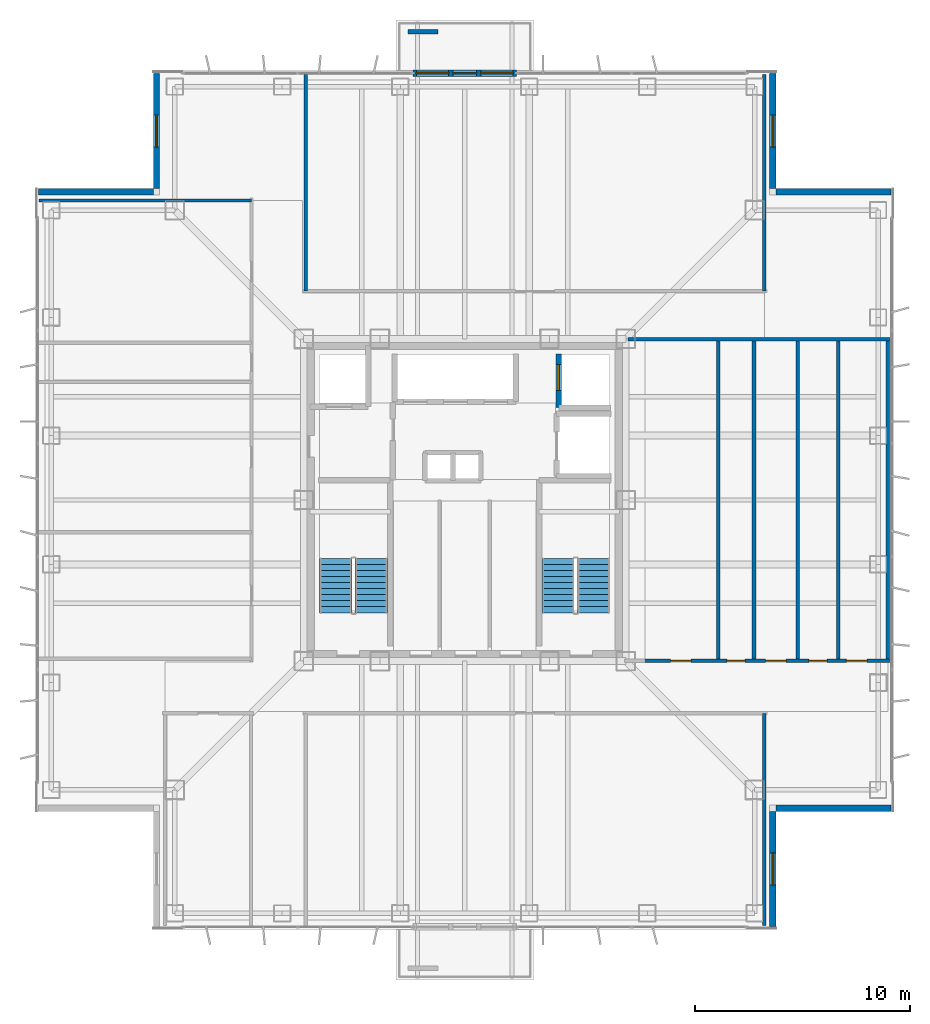
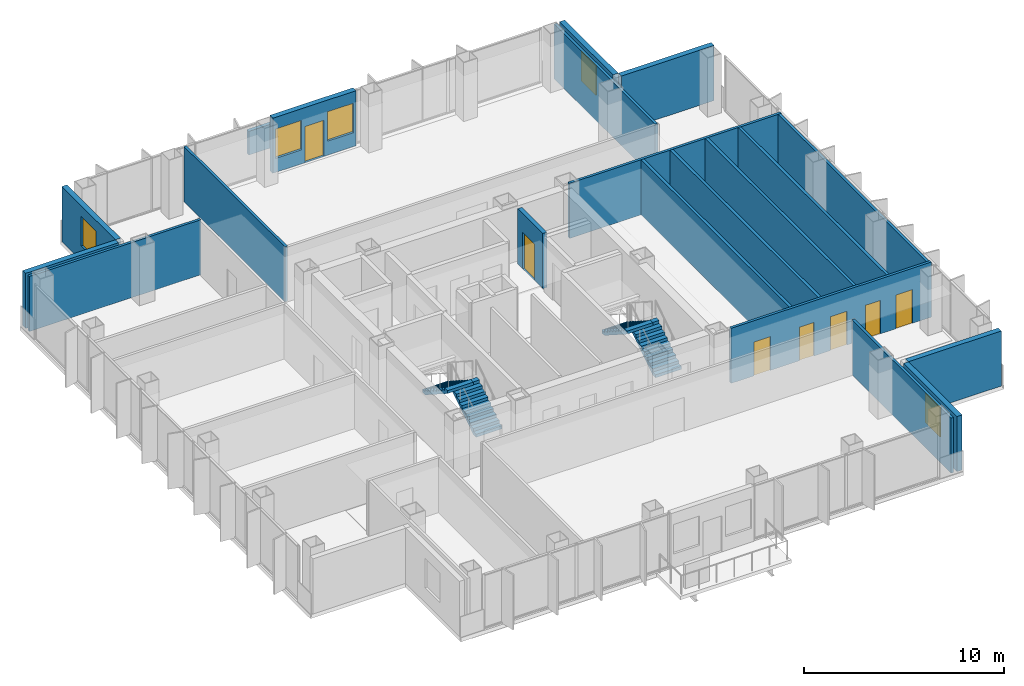
# One storey, part 10 of 13: 20 walls, 7 doors, 5 windows, 4 stair flights, 12 openings, 2 elements without a shape of their own.
"""IFC4 building model written with IfcOpenShell, lengths in metres."""

from ifc_helpers import new_model, si_unit, direction, frame, frame_2d, origin, place, context, subcontext, project, spatial, polyline, rectangle, outline, extrude, material, layer, layer_set, type_object, element, fill, aggregate, save


model = new_model("IFC4")

# Units and contexts
model_context = context("Model", 3, precision=1e-05, world=origin(), true_north=direction((0.0, 1.0)))
body_context = subcontext(model_context, "Body", "Model", "MODEL_VIEW")
ifc_project = project(units=[si_unit("LENGTHUNIT", "METRE"), si_unit("AREAUNIT", "SQUARE_METRE"), si_unit("VOLUMEUNIT", "CUBIC_METRE"), si_unit("PLANEANGLEUNIT", "RADIAN"), si_unit("MASSUNIT", "GRAM", prefix="KILO")], contexts=[model_context])

# Site, building, storey
site_placement = place(None, origin())
site = spatial("IfcSite", under=ifc_project, at=site_placement, CompositionType="ELEMENT")
building_placement = place(site_placement, origin())
building = spatial("IfcBuilding", under=site, at=building_placement, Name="Trevonay Congress Spire", CompositionType="ELEMENT")
storey_placement = place(building_placement, frame((0.0, 0.0, 205.800048828125)))
storey = spatial("IfcBuildingStorey", under=building, at=storey_placement, Name="L53", CompositionType="ELEMENT", Elevation=205.800048828125)

# Wall, openings, doors
ifc_material_1 = material(Name="Concrete C40/50", Category="concrete")
ifc_layer_1 = layer(ifc_material_1, 0.14990234375, Name="Concrete C40/50")
ifc_layer_set_1 = layer_set([ifc_layer_1], Name="Concrete C40/50")
wall_type_1 = type_object("IfcWallType", Name="WAL-CORR-150", PredefinedType="PARTITIONING", material=ifc_layer_set_1)
wall_1_placement = place(storey_placement, frame((8.280029296875, -7.47998046875, 0.0), z_axis=(0.0, 0.0, 1.0), x_axis=(1.0, 0.0, 0.0)))
wall_1 = element("IfcWall", 1, at=wall_1_placement, inside=storey, type_object=wall_type_1, Name="L53 interior wall WP-L53E-COR", PredefinedType="PARTITIONING", context=body_context, shape_type="SweptSolid", body=[
    extrude(rectangle(XDim=11.5400390625, YDim=0.14990234375, at=frame_2d((5.77001953125, 0.0))), origin(), (0.0, 0.0, 1.0), 3.35986328125),
])
opening_1_placement = place(wall_1_placement, frame((1.304931640625, 0.0, 0.0)))
opening_1 = element("IfcOpeningElement", 2, at=opening_1_placement, cuts=wall_1, Name="Opening D07", PredefinedType="OPENING", context=body_context, shape_type="SweptSolid", body=[
    extrude(rectangle(XDim=0.949951171875, YDim=2.06005859375, at=frame_2d((0.47509765625, 1.030029296875))), frame((0.0, 0.0849609375, 0.0), z_axis=(0.0, -1.0, 0.0), x_axis=(1.0, 0.0, 0.0)), (0.0, 0.0, 1.0), 0.169921875),
])
opening_2_placement = place(wall_1_placement, frame((3.929931640625, 0.0, 0.0)))
opening_2 = element("IfcOpeningElement", 3, at=opening_2_placement, cuts=wall_1, Name="Opening D10", PredefinedType="OPENING", context=body_context, shape_type="SweptSolid", body=[
    extrude(rectangle(XDim=0.85009765625, YDim=2.050048828125, at=frame_2d((0.425048828125, 1.02490234375))), frame((0.0, 0.0849609375, 0.0), z_axis=(0.0, -1.0, 0.0), x_axis=(1.0, 0.0, 0.0)), (0.0, 0.0, 1.0), 0.169921875),
])
opening_3_placement = place(wall_1_placement, frame((5.72998046875, 0.0, 0.0)))
opening_3 = element("IfcOpeningElement", 4, at=opening_3_placement, cuts=wall_1, Name="Opening D07", PredefinedType="OPENING", context=body_context, shape_type="SweptSolid", body=[
    extrude(rectangle(XDim=0.949951171875, YDim=2.06005859375, at=frame_2d((0.47509765625, 1.030029296875))), frame((0.0, 0.0849609375, 0.0), z_axis=(0.0, -1.0, 0.0), x_axis=(1.0, 0.0, 0.0)), (0.0, 0.0, 1.0), 0.169921875),
])
opening_4_placement = place(wall_1_placement, frame((7.7451171875, 0.0, 0.0)))
opening_4 = element("IfcOpeningElement", 5, at=opening_4_placement, cuts=wall_1, Name="Opening D10", PredefinedType="OPENING", context=body_context, shape_type="SweptSolid", body=[
    extrude(rectangle(XDim=0.85009765625, YDim=2.050048828125, at=frame_2d((0.425048828125, 1.02490234375))), frame((0.0, 0.0849609375, 0.0), z_axis=(0.0, -1.0, 0.0), x_axis=(1.0, 0.0, 0.0)), (0.0, 0.0, 1.0), 0.169921875),
])
opening_5_placement = place(wall_1_placement, frame((9.4951171875, 0.0, 0.0)))
opening_5 = element("IfcOpeningElement", 6, at=opening_5_placement, cuts=wall_1, Name="Opening D07", PredefinedType="OPENING", context=body_context, shape_type="SweptSolid", body=[
    extrude(rectangle(XDim=0.949951171875, YDim=2.06005859375, at=frame_2d((0.47509765625, 1.030029296875))), frame((0.0, 0.0849609375, 0.0), z_axis=(0.0, -1.0, 0.0), x_axis=(1.0, 0.0, 0.0)), (0.0, 0.0, 1.0), 0.169921875),
])
ifc_material_2 = material(Name="Pale Anodised Aluminium EN AW-6063-T6", Category="aluminium")
door_type_1 = type_object("IfcDoorType", Name="DOR-OFFICE-95", OperationType="NOTDEFINED", PredefinedType="DOOR", material=ifc_material_2)
door_1_placement = place(opening_1_placement, origin())
door_1 = element("IfcDoor", 7, at=door_1_placement, inside=storey, type_object=door_type_1, Name="L53 Juice Bar Kitchenette Door", OperationType="SINGLE_SWING_LEFT", OverallHeight=2.06005859375, OverallWidth=0.949951171875, PredefinedType="DOOR", context=body_context, shape_type="SweptSolid", body=[
    extrude(rectangle(XDim=0.949951171875, YDim=2.06005859375, at=frame_2d((0.47509765625, 1.030029296875))), frame((0.0, 0.02490234375, 0.0), z_axis=(0.0, -1.0, 0.0), x_axis=(1.0, 0.0, 0.0)), (0.0, 0.0, 1.0), 0.050048828125),
])
fill(opening_1, door_1)
door_2_placement = place(opening_3_placement, origin())
door_2 = element("IfcDoor", 8, at=door_2_placement, inside=storey, type_object=door_type_1, Name="L53 Floor Supplies and Copy Room Door", OperationType="SINGLE_SWING_LEFT", OverallHeight=2.06005859375, OverallWidth=0.949951171875, PredefinedType="DOOR", context=body_context, shape_type="SweptSolid", body=[
    extrude(rectangle(XDim=0.949951171875, YDim=2.06005859375, at=frame_2d((0.47509765625, 1.030029296875))), frame((0.0, 0.02490234375, 0.0), z_axis=(0.0, -1.0, 0.0), x_axis=(1.0, 0.0, 0.0)), (0.0, 0.0, 1.0), 0.050048828125),
])
fill(opening_3, door_2)
door_3_placement = place(opening_5_placement, origin())
door_3 = element("IfcDoor", 9, at=door_3_placement, inside=storey, type_object=door_type_1, Name="L53 Floor Supplies and Copy Room Door", OperationType="SINGLE_SWING_LEFT", OverallHeight=2.06005859375, OverallWidth=0.949951171875, PredefinedType="DOOR", context=body_context, shape_type="SweptSolid", body=[
    extrude(rectangle(XDim=0.949951171875, YDim=2.06005859375, at=frame_2d((0.47509765625, 1.030029296875))), frame((0.0, 0.02490234375, 0.0), z_axis=(0.0, -1.0, 0.0), x_axis=(1.0, 0.0, 0.0)), (0.0, 0.0, 1.0), 0.050048828125),
])
fill(opening_5, door_3)
door_type_2 = type_object("IfcDoorType", Name="DOR-WC-85", OperationType="NOTDEFINED", PredefinedType="DOOR", material=ifc_material_2)
door_4_placement = place(opening_2_placement, origin())
door_4 = element("IfcDoor", 10, at=door_4_placement, inside=storey, type_object=door_type_2, Name="L53 Female Restroom WC Door", OperationType="SINGLE_SWING_RIGHT", OverallHeight=2.050048828125, OverallWidth=0.85009765625, PredefinedType="DOOR", context=body_context, shape_type="SweptSolid", body=[
    extrude(rectangle(XDim=0.85009765625, YDim=2.050048828125, at=frame_2d((0.425048828125, 1.02490234375))), frame((0.0, 0.02490234375, 0.0), z_axis=(0.0, -1.0, 0.0), x_axis=(1.0, 0.0, 0.0)), (0.0, 0.0, 1.0), 0.050048828125),
])
fill(opening_2, door_4)
door_5_placement = place(opening_4_placement, origin())
door_5 = element("IfcDoor", 11, at=door_5_placement, inside=storey, type_object=door_type_2, Name="L53 Male Restroom WC Door", OperationType="SINGLE_SWING_RIGHT", OverallHeight=2.050048828125, OverallWidth=0.85009765625, PredefinedType="DOOR", context=body_context, shape_type="SweptSolid", body=[
    extrude(rectangle(XDim=0.85009765625, YDim=2.050048828125, at=frame_2d((0.425048828125, 1.02490234375))), frame((0.0, 0.02490234375, 0.0), z_axis=(0.0, -1.0, 0.0), x_axis=(1.0, 0.0, 0.0)), (0.0, 0.0, 1.0), 0.050048828125),
])
fill(opening_4, door_5)

# Wall, openings, door, windows
ifc_material_3 = material(Name="Precast concrete C40/50", Category="concrete")
ifc_layer_2 = layer(ifc_material_3, 0.300048828125, Name="Precast concrete C40/50")
ifc_layer_set_2 = layer_set([ifc_layer_2], Name="Precast concrete C40/50")
wall_type_2 = type_object("IfcWallType", Name="WAL-EXT-PRECAST-300", PredefinedType="SOLIDWALL", material=ifc_layer_set_2)
wall_2_placement = place(storey_placement, frame((-2.39990234375, 19.8798828125, 0.0), z_axis=(0.0, 0.0, 1.0), x_axis=(1.0, 0.0, 0.0)))
wall_2 = element("IfcWall", 12, at=wall_2_placement, inside=storey, type_object=wall_type_2, Name="L53 N glazed balcony portal exterior wall", PredefinedType="SOLIDWALL", context=body_context, shape_type="SweptSolid", body=[
    extrude(rectangle(XDim=4.7998046875, YDim=0.300048828125, at=frame_2d((2.39990234375, 0.0))), origin(), (0.0, 0.0, 1.0), 3.35986328125),
])
opening_6_placement = place(wall_2_placement, frame((1.85009765625, 0.0, 0.0)))
opening_6 = element("IfcOpeningElement", 13, at=opening_6_placement, cuts=wall_2, Name="Opening D03", PredefinedType="OPENING", context=body_context, shape_type="SweptSolid", body=[
    extrude(rectangle(XDim=1.10009765625, YDim=2.199951171875, at=frame_2d((0.550048828125, 1.10009765625))), frame((0.0, 0.16015625, 0.0), z_axis=(0.0, -1.0, 0.0), x_axis=(1.0, 0.0, 0.0)), (0.0, 0.0, 1.0), 0.320068359375),
])
opening_7_placement = place(wall_2_placement, frame((0.14990234375, 0.0, 0.85009765625)))
opening_7 = element("IfcOpeningElement", 14, at=opening_7_placement, cuts=wall_2, Name="Opening WN03", PredefinedType="OPENING", context=body_context, shape_type="SweptSolid", body=[
    extrude(rectangle(XDim=1.5, YDim=1.800048828125, at=frame_2d((0.75, 0.89990234375))), frame((0.0, 0.16015625, 0.0), z_axis=(0.0, -1.0, 0.0), x_axis=(1.0, 0.0, 0.0)), (0.0, 0.0, 1.0), 0.320068359375),
])
opening_8_placement = place(wall_2_placement, frame((3.14990234375, 0.0, 0.85009765625)))
opening_8 = element("IfcOpeningElement", 15, at=opening_8_placement, cuts=wall_2, Name="Opening WN03", PredefinedType="OPENING", context=body_context, shape_type="SweptSolid", body=[
    extrude(rectangle(XDim=1.5, YDim=1.800048828125, at=frame_2d((0.75, 0.89990234375))), frame((0.0, 0.16015625, 0.0), z_axis=(0.0, -1.0, 0.0), x_axis=(1.0, 0.0, 0.0)), (0.0, 0.0, 1.0), 0.320068359375),
])
door_type_3 = type_object("IfcDoorType", Name="DOR-EXT-BAL-110", OperationType="NOTDEFINED", PredefinedType="DOOR", material=ifc_material_2)
door_6_placement = place(opening_6_placement, origin())
door_6 = element("IfcDoor", 16, at=door_6_placement, inside=storey, type_object=door_type_3, Name="L53 N glazed outdoor terrace and balcony door", OperationType="SINGLE_SWING_RIGHT", OverallHeight=2.199951171875, OverallWidth=1.10009765625, PredefinedType="DOOR", context=body_context, shape_type="SweptSolid", body=[
    extrude(rectangle(XDim=1.10009765625, YDim=2.199951171875, at=frame_2d((0.550048828125, 1.10009765625))), frame((0.0, 0.02490234375, 0.0), z_axis=(0.0, -1.0, 0.0), x_axis=(1.0, 0.0, 0.0)), (0.0, 0.0, 1.0), 0.050048828125),
])
fill(opening_6, door_6)
ifc_material_4 = material(Name="Insulated Low-E Vision Glass IGU", Category="glass")
window_type = type_object("IfcWindowType", Name="WIN-NOTCH-150X180", PartitioningType="SINGLE_PANEL", PredefinedType="WINDOW", material=ifc_material_4)
window_1_placement = place(opening_7_placement, origin())
window_1 = element("IfcWindow", 17, at=window_1_placement, inside=storey, type_object=window_type, Name="L53 N balcony sidelight window L", OverallHeight=1.800048828125, OverallWidth=1.5, PartitioningType="SINGLE_PANEL", PredefinedType="WINDOW", context=body_context, shape_type="SweptSolid", body=[
    extrude(rectangle(XDim=1.5, YDim=1.800048828125, at=frame_2d((0.75, 0.89990234375))), frame((0.0, 0.030029296875, 0.0), z_axis=(0.0, -1.0, 0.0), x_axis=(1.0, 0.0, 0.0)), (0.0, 0.0, 1.0), 0.06005859375),
])
fill(opening_7, window_1)
window_2_placement = place(opening_8_placement, origin())
window_2 = element("IfcWindow", 18, at=window_2_placement, inside=storey, type_object=window_type, Name="L53 N balcony sidelight window R", OverallHeight=1.800048828125, OverallWidth=1.5, PartitioningType="SINGLE_PANEL", PredefinedType="WINDOW", context=body_context, shape_type="SweptSolid", body=[
    extrude(rectangle(XDim=1.5, YDim=1.800048828125, at=frame_2d((0.75, 0.89990234375))), frame((0.0, 0.030029296875, 0.0), z_axis=(0.0, -1.0, 0.0), x_axis=(1.0, 0.0, 0.0)), (0.0, 0.0, 1.0), 0.06005859375),
])
fill(opening_8, window_2)

# Wall, opening, window
wall_3_placement = place(storey_placement, frame((14.35009765625, -19.85009765625, 0.0), z_axis=(0.0, 0.0, 1.0), x_axis=(0.0, 1.0, 0.0)))
wall_3 = element("IfcWall", 19, at=wall_3_placement, inside=storey, type_object=wall_type_2, Name="L53 SE re-entrant notch exterior wall 1", PredefinedType="SOLIDWALL", context=body_context, shape_type="SweptSolid", body=[
    extrude(rectangle(XDim=5.35009765625, YDim=0.300048828125, at=frame_2d((2.675048828125, 0.0))), origin(), (0.0, 0.0, 1.0), 3.35986328125),
])
opening_9_placement = place(wall_3_placement, frame((1.925048828125, 0.0, 0.89990234375)))
opening_9 = element("IfcOpeningElement", 20, at=opening_9_placement, cuts=wall_3, Name="Opening WN03", PredefinedType="OPENING", context=body_context, shape_type="SweptSolid", body=[
    extrude(rectangle(XDim=1.5, YDim=1.800048828125, at=frame_2d((0.75, 0.89990234375))), frame((0.0, 0.16015625, 0.0), z_axis=(0.0, -1.0, 0.0), x_axis=(1.0, 0.0, 0.0)), (0.0, 0.0, 1.0), 0.320068359375),
])
window_3_placement = place(opening_9_placement, origin())
window_3 = element("IfcWindow", 21, at=window_3_placement, inside=storey, type_object=window_type, Name="L53 SE corner notch window", OverallHeight=1.800048828125, OverallWidth=1.5, PartitioningType="SINGLE_PANEL", PredefinedType="WINDOW", context=body_context, shape_type="SweptSolid", body=[
    extrude(rectangle(XDim=1.5, YDim=1.800048828125, at=frame_2d((0.75, 0.89990234375))), frame((0.0, 0.030029296875, 0.0), z_axis=(0.0, -1.0, 0.0), x_axis=(1.0, 0.0, 0.0)), (0.0, 0.0, 1.0), 0.06005859375),
])
fill(opening_9, window_3)

# Wall
wall_4_placement = place(storey_placement, frame((19.85009765625, -14.35009765625, 0.0), z_axis=(0.0, 0.0, 1.0), x_axis=(-1.0, 0.0, 0.0)))
element("IfcWall", 22, at=wall_4_placement, inside=storey, type_object=wall_type_2, Name="L53 SE re-entrant notch exterior wall 2", PredefinedType="SOLIDWALL", context=body_context, shape_type="SweptSolid", body=[
    extrude(rectangle(XDim=5.35009765625, YDim=0.300048828125, at=frame_2d((2.675048828125, 0.0))), origin(), (0.0, 0.0, 1.0), 3.35986328125),
])

# Wall, opening, window
wall_5_placement = place(storey_placement, frame((14.35009765625, 19.85009765625, 0.0), z_axis=(0.0, 0.0, 1.0), x_axis=(0.0, -1.0, 0.0)))
wall_5 = element("IfcWall", 23, at=wall_5_placement, inside=storey, type_object=wall_type_2, Name="L53 NE re-entrant notch exterior wall 1", PredefinedType="SOLIDWALL", context=body_context, shape_type="SweptSolid", body=[
    extrude(rectangle(XDim=5.35009765625, YDim=0.300048828125, at=frame_2d((2.675048828125, 0.0))), origin(), (0.0, 0.0, 1.0), 3.35986328125),
])
opening_10_placement = place(wall_5_placement, frame((1.925048828125, 0.0, 0.89990234375)))
opening_10 = element("IfcOpeningElement", 24, at=opening_10_placement, cuts=wall_5, Name="Opening WN03", PredefinedType="OPENING", context=body_context, shape_type="SweptSolid", body=[
    extrude(rectangle(XDim=1.5, YDim=1.800048828125, at=frame_2d((0.75, 0.89990234375))), frame((0.0, 0.16015625, 0.0), z_axis=(0.0, -1.0, 0.0), x_axis=(1.0, 0.0, 0.0)), (0.0, 0.0, 1.0), 0.320068359375),
])
window_4_placement = place(opening_10_placement, origin())
window_4 = element("IfcWindow", 25, at=window_4_placement, inside=storey, type_object=window_type, Name="L53 NE corner notch window", OverallHeight=1.800048828125, OverallWidth=1.5, PartitioningType="SINGLE_PANEL", PredefinedType="WINDOW", context=body_context, shape_type="SweptSolid", body=[
    extrude(rectangle(XDim=1.5, YDim=1.800048828125, at=frame_2d((0.75, 0.89990234375))), frame((0.0, 0.030029296875, 0.0), z_axis=(0.0, -1.0, 0.0), x_axis=(1.0, 0.0, 0.0)), (0.0, 0.0, 1.0), 0.06005859375),
])
fill(opening_10, window_4)

# Wall
wall_6_placement = place(storey_placement, frame((19.85009765625, 14.35009765625, 0.0), z_axis=(0.0, 0.0, 1.0), x_axis=(-1.0, 0.0, 0.0)))
element("IfcWall", 26, at=wall_6_placement, inside=storey, type_object=wall_type_2, Name="L53 NE re-entrant notch exterior wall 2", PredefinedType="SOLIDWALL", context=body_context, shape_type="SweptSolid", body=[
    extrude(rectangle(XDim=5.35009765625, YDim=0.300048828125, at=frame_2d((2.675048828125, 0.0))), origin(), (0.0, 0.0, 1.0), 3.35986328125),
])

# Wall, opening, window
wall_7_placement = place(storey_placement, frame((-14.35009765625, 19.85009765625, 0.0), z_axis=(0.0, 0.0, 1.0), x_axis=(0.0, -1.0, 0.0)))
wall_7 = element("IfcWall", 27, at=wall_7_placement, inside=storey, type_object=wall_type_2, Name="L53 NW re-entrant notch exterior wall 1", PredefinedType="SOLIDWALL", context=body_context, shape_type="SweptSolid", body=[
    extrude(rectangle(XDim=5.35009765625, YDim=0.300048828125, at=frame_2d((2.675048828125, 0.0))), origin(), (0.0, 0.0, 1.0), 3.35986328125),
])
opening_11_placement = place(wall_7_placement, frame((1.925048828125, 0.0, 0.89990234375)))
opening_11 = element("IfcOpeningElement", 28, at=opening_11_placement, cuts=wall_7, Name="Opening WN03", PredefinedType="OPENING", context=body_context, shape_type="SweptSolid", body=[
    extrude(rectangle(XDim=1.5, YDim=1.800048828125, at=frame_2d((0.75, 0.89990234375))), frame((0.0, 0.16015625, 0.0), z_axis=(0.0, -1.0, 0.0), x_axis=(1.0, 0.0, 0.0)), (0.0, 0.0, 1.0), 0.320068359375),
])
window_5_placement = place(opening_11_placement, origin())
window_5 = element("IfcWindow", 29, at=window_5_placement, inside=storey, type_object=window_type, Name="L53 NW corner notch window", OverallHeight=1.800048828125, OverallWidth=1.5, PartitioningType="SINGLE_PANEL", PredefinedType="WINDOW", context=body_context, shape_type="SweptSolid", body=[
    extrude(rectangle(XDim=1.5, YDim=1.800048828125, at=frame_2d((0.75, 0.89990234375))), frame((0.0, 0.030029296875, 0.0), z_axis=(0.0, -1.0, 0.0), x_axis=(1.0, 0.0, 0.0)), (0.0, 0.0, 1.0), 0.06005859375),
])
fill(opening_11, window_5)

# Walls
wall_8_placement = place(storey_placement, frame((-19.85009765625, 14.35009765625, 0.0), z_axis=(0.0, 0.0, 1.0), x_axis=(1.0, 0.0, 0.0)))
element("IfcWall", 30, at=wall_8_placement, inside=storey, type_object=wall_type_2, Name="L53 NW re-entrant notch exterior wall 2", PredefinedType="SOLIDWALL", context=body_context, shape_type="SweptSolid", body=[
    extrude(rectangle(XDim=5.35009765625, YDim=0.300048828125, at=frame_2d((2.675048828125, 0.0))), origin(), (0.0, 0.0, 1.0), 3.35986328125),
])
ifc_layer_3 = layer(ifc_material_1, 0.14990234375, Name="Concrete C40/50")
ifc_layer_set_3 = layer_set([ifc_layer_3], Name="Concrete C40/50")
wall_type_3 = type_object("IfcWallType", Name="WAL-PART-150", PredefinedType="PARTITIONING", material=ifc_layer_set_3)
for number, where, z_axis, x_axis, name in (
    (31, (13.949951171875, -19.820068359375, 0.0), (0.0, 0.0, 1.0), (0.0, 1.0, 0.0), "L53 interior wall WP-L53SE-DIV2"),
    (32, (-19.820068359375, 13.949951171875, 0.0), (0.0, 0.0, 1.0), (1.0, 0.0, 0.0), "L53 interior wall WP-L53NW-DIV4"),
):
    element("IfcWall", number, at=place(storey_placement, frame(where, z_axis=z_axis, x_axis=x_axis)), inside=storey, type_object=wall_type_3, Name=name, PredefinedType="PARTITIONING", context=body_context, shape_type="SweptSolid", body=[
        extrude(rectangle(XDim=9.89013671875, YDim=0.14990234375, at=frame_2d((4.945068359375, 0.0))), origin(), (0.0, 0.0, 1.0), 3.35986328125),
    ])
for number, where, z_axis, x_axis, name in (
    (33, (-7.39990234375, 9.72998046875, 0.0), (0.0, 0.0, 1.0), (0.0, 1.0, 0.0), "L53 interior wall WP-L53N-DIV1"),
    (34, (13.949951171875, 9.72998046875, 0.0), (0.0, 0.0, 1.0), (0.0, 1.0, 0.0), "L53 interior wall WP-L53N-DIV2"),
):
    element("IfcWall", number, at=place(storey_placement, frame(where, z_axis=z_axis, x_axis=x_axis)), inside=storey, type_object=wall_type_3, Name=name, PredefinedType="PARTITIONING", context=body_context, shape_type="SweptSolid", body=[
        extrude(rectangle(XDim=10.090087890625, YDim=0.14990234375, at=frame_2d((5.044921875, 0.0))), origin(), (0.0, 0.0, 1.0), 3.35986328125),
    ])
wall_9_placement = place(storey_placement, frame((19.699951171875, -7.47998046875, 0.0), z_axis=(0.0, 0.0, 1.0), x_axis=(0.0, 1.0, 0.0)))
element("IfcWall", 35, at=wall_9_placement, inside=storey, type_object=wall_type_3, Name="L53 interior wall WP-L53E-DIV3", PredefinedType="PARTITIONING", context=body_context, shape_type="SweptSolid", body=[
    extrude(rectangle(XDim=14.89990234375, YDim=0.14990234375, at=frame_2d((7.449951171875, 0.0))), origin(), (0.0, 0.0, 1.0), 3.35986328125),
])
wall_10_placement = place(storey_placement, frame((7.60009765625, 7.47998046875, 0.0), z_axis=(0.0, 0.0, 1.0), x_axis=(1.0, 0.0, 0.0)))
element("IfcWall", 36, at=wall_10_placement, inside=storey, type_object=wall_type_3, Name="L53 interior wall WP-L53E-NCLS", PredefinedType="PARTITIONING", context=body_context, shape_type="SweptSolid", body=[
    extrude(rectangle(XDim=12.219970703125, YDim=0.14990234375, at=frame_2d((6.10986328125, 0.0))), origin(), (0.0, 0.0, 1.0), 3.35986328125),
])

# Wall, opening, door
ifc_layer_4 = layer(ifc_material_1, 0.25, Name="Concrete C40/50")
ifc_layer_set_4 = layer_set([ifc_layer_4], Name="Concrete C40/50")
wall_type_4 = type_object("IfcWallType", Name="WAL-SHAFT-250", PredefinedType="SHEAR", material=ifc_layer_set_4)
wall_11_placement = place(storey_placement, frame((4.3798828125, 4.300048828125, 0.0), z_axis=(0.0, 0.0, 1.0), x_axis=(0.0, 1.0, 0.0)))
wall_11 = element("IfcWall", 37, at=wall_11_placement, inside=storey, type_object=wall_type_4, Name="L53 interior shaft wall WSH-L53-FF2-W", PredefinedType="SHEAR", context=body_context, shape_type="SweptSolid", body=[
    extrude(rectangle(XDim=2.5, YDim=0.25, at=frame_2d((1.25, 0.0))), origin(), (0.0, 0.0, 1.0), 3.35986328125),
])
opening_12_placement = place(wall_11_placement, frame((0.800048828125, 0.0, 0.0)))
opening_12 = element("IfcOpeningElement", 38, at=opening_12_placement, cuts=wall_11, Name="Opening LD04", PredefinedType="OPENING", context=body_context, shape_type="SweptSolid", body=[
    extrude(rectangle(XDim=1.199951171875, YDim=2.199951171875, at=frame_2d((0.60009765625, 1.10009765625))), frame((0.0, 0.135009765625, 0.0), z_axis=(0.0, -1.0, 0.0), x_axis=(1.0, 0.0, 0.0)), (0.0, 0.0, 1.0), 0.27001953125),
])
ifc_material_5 = material(Name="Steel ASTM A572 Grade 50", Category="steel")
door_type_4 = type_object("IfcDoorType", Name="DOR-LIFT-LD04", OperationType="DOUBLE_DOOR_SLIDING", PredefinedType="DOOR", material=ifc_material_5)
door_7_placement = place(opening_12_placement, origin())
door_7 = element("IfcDoor", 39, at=door_7_placement, inside=storey, type_object=door_type_4, Name="L53 Firefighting lift FFL-02 landing door", OperationType="DOUBLE_DOOR_SLIDING", OverallHeight=2.199951171875, OverallWidth=1.199951171875, PredefinedType="DOOR", context=body_context, shape_type="SweptSolid", body=[
    extrude(rectangle(XDim=1.199951171875, YDim=2.199951171875, at=frame_2d((0.60009765625, 1.10009765625))), frame((0.0, 0.02490234375, 0.0), z_axis=(0.0, -1.0, 0.0), x_axis=(1.0, 0.0, 0.0)), (0.0, 0.0, 1.0), 0.050048828125),
])
fill(opening_12, door_7)

# Walls
ifc_layer_5 = layer(ifc_material_3, 0.199951171875, Name="Precast concrete C40/50")
ifc_layer_set_5 = layer_set([ifc_layer_5], Name="Precast concrete C40/50")
wall_type_5 = type_object("IfcWallType", Name="WAL-TREE-PLANTER-200", PredefinedType="PARAPET", material=ifc_layer_set_5)
wall_12_placement = place(storey_placement, frame((-2.64990234375, 21.800048828125, 0.0), z_axis=(0.0, 0.0, 1.0), x_axis=(1.0, 0.0, 0.0)))
element("IfcWall", 40, at=wall_12_placement, inside=storey, type_object=wall_type_5, Name="L53 N cantilevered balcony tree planter box", PredefinedType="PARAPET", context=body_context, shape_type="SweptSolid", body=[
    extrude(rectangle(XDim=1.39990234375, YDim=0.199951171875, at=frame_2d((0.699951171875, 0.0))), origin(), (0.0, 0.0, 1.0), 1.449951171875),
])
ifc_layer_6 = layer(ifc_material_1, 0.1650390625, Name="Concrete C40/50")
ifc_layer_set_6 = layer_set([ifc_layer_6], Name="Concrete C40/50")
wall_type_6 = type_object("IfcWallType", Name="WAL-WET-165", PredefinedType="PLUMBINGWALL", material=ifc_layer_set_6)
for number, where, z_axis, x_axis, name in (
    (41, (13.469970703125, -7.47998046875, 0.0), (0.0, 0.0, 1.0), (0.0, 1.0, 0.0), "L53 interior wall WP-L53E-WCS2"),
    (42, (17.39990234375, -7.47998046875, 0.0), (0.0, 0.0, 1.0), (0.0, 1.0, 0.0), "L53 interior wall WP-L53E-WCS3"),
    (43, (11.800048828125, -7.47998046875, 0.0), (0.0, 0.0, 1.0), (0.0, 1.0, 0.0), "L53 interior wall WP-L53E-DIV1"),
    (44, (15.5, -7.47998046875, 0.0), (0.0, 0.0, 1.0), (0.0, 1.0, 0.0), "L53 interior wall WP-L53E-DIV2"),
):
    element("IfcWall", number, at=place(storey_placement, frame(where, z_axis=z_axis, x_axis=x_axis)), inside=storey, type_object=wall_type_6, Name=name, PredefinedType="PLUMBINGWALL", context=body_context, shape_type="SweptSolid", body=[
        extrude(rectangle(XDim=14.89990234375, YDim=0.1650390625, at=frame_2d((7.449951171875, 0.0))), origin(), (0.0, 0.0, 1.0), 3.35986328125),
    ])

# Stair, stair flights
stair_type_1 = type_object("IfcStairType", Name="STR-ST-1", PredefinedType="HALF_TURN_STAIR", material=ifc_material_1)
stair_1_placement = place(storey_placement, origin())
stair_1 = element("IfcStair", 45, at=stair_1_placement, inside=storey, type_object=stair_type_1, Name="L53 Protected Exit Stair ST-1", PredefinedType="HALF_TURN_STAIR")
stair_flight_type_1 = type_object("IfcStairFlightType", Name="SFL-ST-1", PredefinedType="STRAIGHT", material=ifc_material_1)
stair_flight_1_placement = place(storey_placement, frame((-4.35009765625, -5.25, 0.0), z_axis=(0.0, 0.0, 1.0), x_axis=(0.0, 1.0, 0.0)))
stair_flight_1 = element("IfcStairFlight", 46, at=stair_flight_1_placement, type_object=stair_flight_type_1, Name="ST-1 flight 1", NumberOfRisers=10, NumberOfTreads=9, PredefinedType="STRAIGHT", RiserHeight=0.18, TreadLength=0.28, context=body_context, shape_type="SweptSolid", body=[
    extrude(outline(polyline([(0.0, 0.0), (0.0, 0.179931640625), (0.280029296875, 0.179931640625), (0.280029296875, 0.360107421875), (0.56005859375, 0.360107421875), (0.56005859375, 0.5400390625), (0.840087890625, 0.5400390625), (0.840087890625, 0.719970703125), (1.1201171875, 0.719970703125), (1.1201171875, 0.89990234375), (1.39990234375, 0.89990234375), (1.39990234375, 1.080078125), (1.679931640625, 1.080078125), (1.679931640625, 1.260009765625), (1.9599609375, 1.260009765625), (1.9599609375, 1.43994140625), (2.239990234375, 1.43994140625), (2.239990234375, 1.6201171875), (2.52001953125, 1.6201171875), (2.52001953125, 1.800048828125), (2.52001953125, 1.44189453125), (0.277099609375, 0.0), (0.0, 0.0)])), frame((0.0, 0.75, 0.0), z_axis=(0.0, -1.0, 0.0), x_axis=(1.0, 0.0, 0.0)), (0.0, 0.0, 1.0), 1.5),
])
stair_flight_2_placement = place(storey_placement, frame((-6.0, -2.72998046875, 1.800048828125), z_axis=(0.0, 0.0, 1.0), x_axis=(0.0, -1.0, 0.0)))
stair_flight_2 = element("IfcStairFlight", 47, at=stair_flight_2_placement, type_object=stair_flight_type_1, Name="ST-1 flight 2", NumberOfRisers=10, NumberOfTreads=9, PredefinedType="STRAIGHT", RiserHeight=0.18, TreadLength=0.28, context=body_context, shape_type="SweptSolid", body=[
    extrude(outline(polyline([(0.0, 0.0), (0.0, 0.179931640625), (0.280029296875, 0.179931640625), (0.280029296875, 0.360107421875), (0.56005859375, 0.360107421875), (0.56005859375, 0.5400390625), (0.840087890625, 0.5400390625), (0.840087890625, 0.719970703125), (1.1201171875, 0.719970703125), (1.1201171875, 0.89990234375), (1.39990234375, 0.89990234375), (1.39990234375, 1.080078125), (1.679931640625, 1.080078125), (1.679931640625, 1.260009765625), (1.9599609375, 1.260009765625), (1.9599609375, 1.43994140625), (2.239990234375, 1.43994140625), (2.239990234375, 1.6201171875), (2.52001953125, 1.6201171875), (2.52001953125, 1.800048828125), (2.52001953125, 1.44189453125), (0.277099609375, 0.0), (0.0, 0.0)])), frame((0.0, 0.75, 0.0), z_axis=(0.0, -1.0, 0.0), x_axis=(1.0, 0.0, 0.0)), (0.0, 0.0, 1.0), 1.5),
])
aggregate(stair_1, [stair_flight_1, stair_flight_2])

stair_type_2 = type_object("IfcStairType", Name="STR-ST-2", PredefinedType="HALF_TURN_STAIR", material=ifc_material_1)
stair_2_placement = place(storey_placement, origin())
stair_2 = element("IfcStair", 48, at=stair_2_placement, inside=storey, type_object=stair_type_2, Name="L53 Protected Exit Stair ST-2", PredefinedType="HALF_TURN_STAIR")
stair_flight_type_2 = type_object("IfcStairFlightType", Name="SFL-ST-2", PredefinedType="STRAIGHT", material=ifc_material_1)
stair_flight_3_placement = place(storey_placement, frame((6.0, -5.25, 0.0), z_axis=(0.0, 0.0, 1.0), x_axis=(0.0, 1.0, 0.0)))
stair_flight_3 = element("IfcStairFlight", 49, at=stair_flight_3_placement, type_object=stair_flight_type_2, Name="ST-2 flight 1", NumberOfRisers=10, NumberOfTreads=9, PredefinedType="STRAIGHT", RiserHeight=0.18, TreadLength=0.28, context=body_context, shape_type="SweptSolid", body=[
    extrude(outline(polyline([(0.0, 0.0), (0.0, 0.179931640625), (0.280029296875, 0.179931640625), (0.280029296875, 0.360107421875), (0.56005859375, 0.360107421875), (0.56005859375, 0.5400390625), (0.840087890625, 0.5400390625), (0.840087890625, 0.719970703125), (1.1201171875, 0.719970703125), (1.1201171875, 0.89990234375), (1.39990234375, 0.89990234375), (1.39990234375, 1.080078125), (1.679931640625, 1.080078125), (1.679931640625, 1.260009765625), (1.9599609375, 1.260009765625), (1.9599609375, 1.43994140625), (2.239990234375, 1.43994140625), (2.239990234375, 1.6201171875), (2.52001953125, 1.6201171875), (2.52001953125, 1.800048828125), (2.52001953125, 1.44189453125), (0.277099609375, 0.0), (0.0, 0.0)])), frame((0.0, 0.75, 0.0), z_axis=(0.0, -1.0, 0.0), x_axis=(1.0, 0.0, 0.0)), (0.0, 0.0, 1.0), 1.5),
])
stair_flight_4_placement = place(storey_placement, frame((4.35009765625, -2.72998046875, 1.800048828125), z_axis=(0.0, 0.0, 1.0), x_axis=(0.0, -1.0, 0.0)))
stair_flight_4 = element("IfcStairFlight", 50, at=stair_flight_4_placement, type_object=stair_flight_type_2, Name="ST-2 flight 2", NumberOfRisers=10, NumberOfTreads=9, PredefinedType="STRAIGHT", RiserHeight=0.18, TreadLength=0.28, context=body_context, shape_type="SweptSolid", body=[
    extrude(outline(polyline([(0.0, 0.0), (0.0, 0.179931640625), (0.280029296875, 0.179931640625), (0.280029296875, 0.360107421875), (0.56005859375, 0.360107421875), (0.56005859375, 0.5400390625), (0.840087890625, 0.5400390625), (0.840087890625, 0.719970703125), (1.1201171875, 0.719970703125), (1.1201171875, 0.89990234375), (1.39990234375, 0.89990234375), (1.39990234375, 1.080078125), (1.679931640625, 1.080078125), (1.679931640625, 1.260009765625), (1.9599609375, 1.260009765625), (1.9599609375, 1.43994140625), (2.239990234375, 1.43994140625), (2.239990234375, 1.6201171875), (2.52001953125, 1.6201171875), (2.52001953125, 1.800048828125), (2.52001953125, 1.44189453125), (0.277099609375, 0.0), (0.0, 0.0)])), frame((0.0, 0.75, 0.0), z_axis=(0.0, -1.0, 0.0), x_axis=(1.0, 0.0, 0.0)), (0.0, 0.0, 1.0), 1.5),
])
aggregate(stair_2, [stair_flight_3, stair_flight_4])

save(model, "model.ifc")
